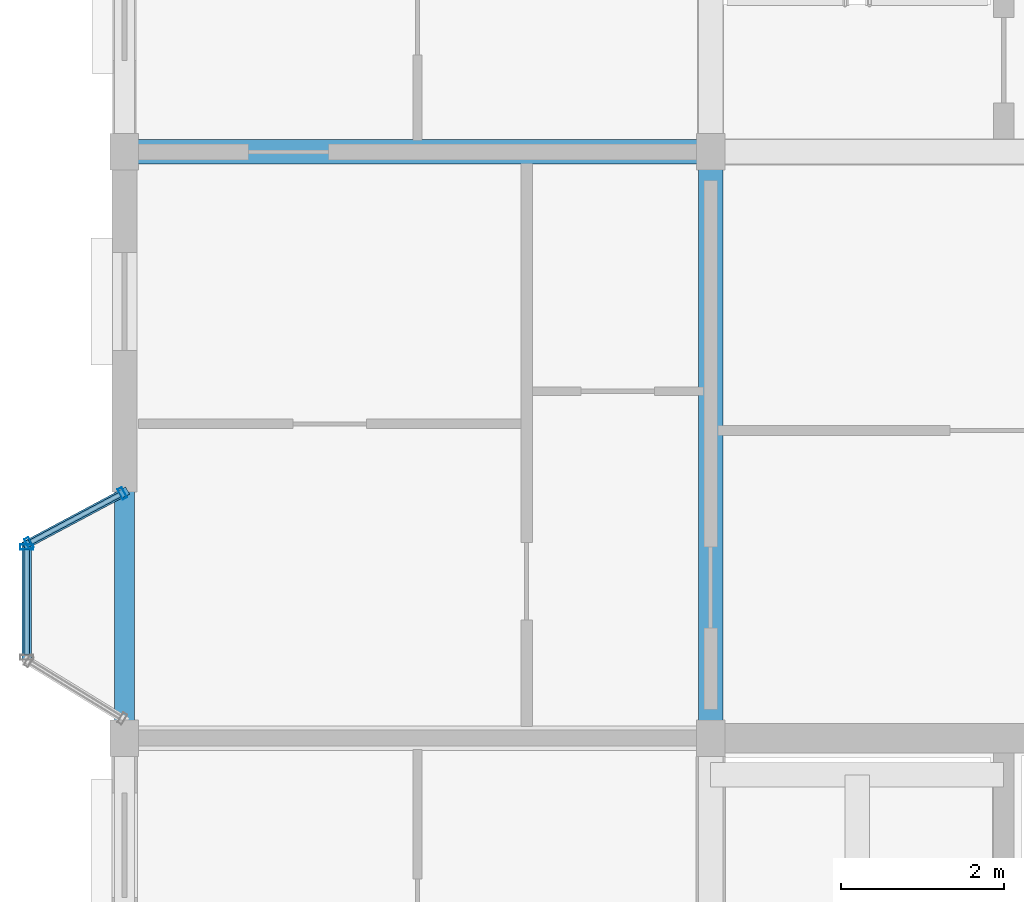
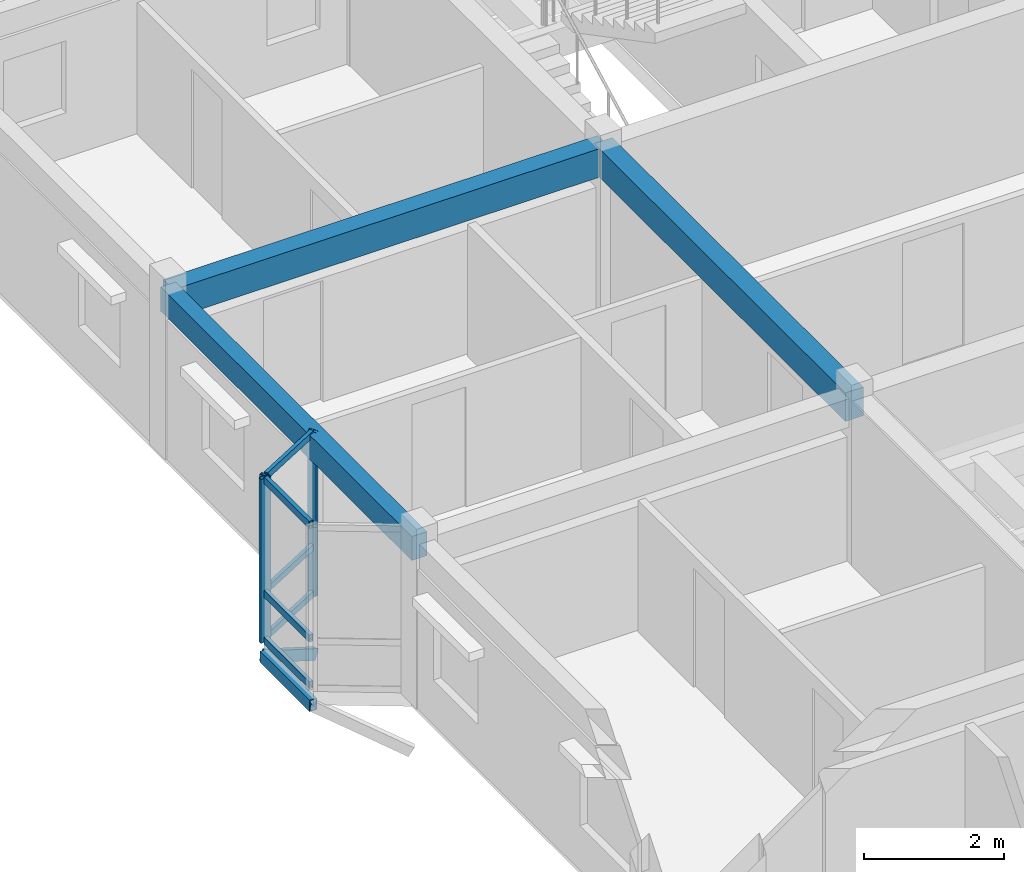
# One storey, part 7 of 22: 11 members, 3 beams, 2 elements without a shape of their own.
"""IFC4 building model written with IfcOpenShell, lengths in metres."""

from ifc_helpers import new_model, si_unit, direction, frame, origin, origin_2d, place, context, subcontext, project, spatial, rectangle, hollow_rectangle, extrude, material, layer, layer_set, material_profile, profile_set, type_object, element, aggregate, save


model = new_model("IFC4")

# Units and contexts
model_context = context("Model", 3, precision=1e-05, world=origin(), true_north=direction((0.0, 1.0)))
body_context = subcontext(model_context, "Body", "Model", "MODEL_VIEW")
ifc_project = project(units=[si_unit("LENGTHUNIT", "METRE"), si_unit("AREAUNIT", "SQUARE_METRE"), si_unit("VOLUMEUNIT", "CUBIC_METRE"), si_unit("PLANEANGLEUNIT", "RADIAN"), si_unit("MASSUNIT", "GRAM", prefix="KILO"), si_unit("THERMODYNAMICTEMPERATUREUNIT", "KELVIN"), si_unit("POWERUNIT", "WATT")], contexts=[model_context])

# Site, building, storey
site_placement = place(None, origin())
site = spatial("IfcSite", under=ifc_project, at=site_placement, CompositionType="ELEMENT")
building_placement = place(site_placement, origin())
building = spatial("IfcBuilding", under=site, at=building_placement, Name="Tavuni Mirador Residences", CompositionType="ELEMENT")
storey_placement = place(building_placement, frame((0.0, 0.0, 45.449951171875)))
storey = spatial("IfcBuildingStorey", under=building, at=storey_placement, Name="L14", CompositionType="ELEMENT", Elevation=45.449951171875)

# Beams
ifc_material_1 = material(Name="Precast concrete C40/50", Category="concrete")
ifc_material_profile_1 = material_profile(ifc_material_1, rectangle(XDim=0.300048828125, YDim=0.5, at=origin_2d()), Name="PC 300x500", Category="concrete")
ifc_profile_set_1 = profile_set([ifc_material_profile_1], Name="Precast concrete C40/50")
beam_type_1 = type_object("IfcBeamType", Name="BT-B500", PredefinedType="BEAM", material=ifc_profile_set_1)
for number, where, z_axis, x_axis, name in (
    (1, (3.60009765625, 28.800048828125, 2.6201171875), (1.0, 0.0, 0.0), (0.0, 1.0, 0.0), "BMX-BLK-A-L14-00-03"),
    (2, (10.800048828125, 21.60009765625, 2.6201171875), (0.0, 1.0, 0.0), (-1.0, 0.0, 0.0), "BMY-BLK-A-L14-01-02"),
):
    element("IfcBeam", number, at=place(storey_placement, frame(where, z_axis=z_axis, x_axis=x_axis)), inside=storey, type_object=beam_type_1, Name=name, PredefinedType="BEAM", context=body_context, shape_type="SweptSolid", body=[
        extrude(rectangle(XDim=0.300048828125, YDim=0.5, at=origin_2d()), origin(), (0.0, 0.0, 1.0), 7.199951171875),
    ])
ifc_material_profile_2 = material_profile(ifc_material_1, rectangle(XDim=0.25, YDim=0.419921875, at=origin_2d()), Name="PC 250x420", Category="concrete")
ifc_profile_set_2 = profile_set([ifc_material_profile_2], Name="Precast concrete C40/50")
beam_type_2 = type_object("IfcBeamType", Name="BT-SP420", PredefinedType="SPANDREL", material=ifc_profile_set_2)
beam_placement = place(storey_placement, frame((3.60009765625, 21.60009765625, 2.66015625), z_axis=(0.0, 1.0, 0.0), x_axis=(-1.0, 0.0, 0.0)))
element("IfcBeam", 3, at=beam_placement, inside=storey, type_object=beam_type_2, Name="BMY-BLK-A-L14-00-02", PredefinedType="SPANDREL", context=body_context, shape_type="SweptSolid", body=[
    extrude(rectangle(XDim=0.25, YDim=0.419921875, at=origin_2d()), origin(), (0.0, 0.0, 1.0), 7.199951171875),
])

# Curtain wall, members
ifc_material_2 = material(Name="Anodised aluminium", Category="aluminium")
ifc_layer_1 = layer(ifc_material_2, 0.175048828125, Name="Anodised aluminium", Category="aluminium")
ifc_layer_set_1 = layer_set([ifc_layer_1], Name="Anodised aluminium")
curtain_wall_type_1 = type_object("IfcCurtainWallType", Name="CWT-MIR-C", PredefinedType="NOTDEFINED", material=ifc_layer_set_1)
curtain_wall_1_placement = place(storey_placement, origin())
curtain_wall_1 = element("IfcCurtainWall", 4, at=curtain_wall_1_placement, inside=storey, type_object=curtain_wall_type_1, Name="CW-MIR-A-W2-L14-M1", PredefinedType="NOTDEFINED")
ifc_material_profile_3 = material_profile(ifc_material_2, hollow_rectangle(XDim=0.06005859375, YDim=0.139892578125, WallThickness=0.00390625, at=origin_2d()), Name="ALU 60x140x4.0", Category="aluminium")
ifc_profile_set_3 = profile_set([ifc_material_profile_3], Name="Anodised aluminium")
member_type_1 = type_object("IfcMemberType", Name="CWM-140", PredefinedType="MULLION", material=ifc_profile_set_3)
member_1_placement = place(storey_placement, frame((3.573486328125, 24.60595703125, 0.0), z_axis=(0.0, 0.0, 1.0), x_axis=(-0.882352941175, -0.470588235296, 0.0)))
member_1 = element("IfcMember", 5, at=member_1_placement, type_object=member_type_1, Name="CW-03 mullion 1", PredefinedType="MULLION", context=body_context, shape_type="SweptSolid", body=[
    extrude(hollow_rectangle(XDim=0.06005859375, YDim=0.139892578125, WallThickness=0.00390625, at=origin_2d()), origin(), (0.0, 0.0, 1.0), 2.8701171875),
])
member_2_placement = place(storey_placement, frame((2.426513671875, 23.994140625, 0.0), z_axis=(0.0, 0.0, 1.0), x_axis=(-0.882352941175, -0.470588235296, 0.0)))
member_2 = element("IfcMember", 6, at=member_2_placement, type_object=member_type_1, Name="CW-03 mullion 2", PredefinedType="MULLION", context=body_context, shape_type="SweptSolid", body=[
    extrude(hollow_rectangle(XDim=0.06005859375, YDim=0.139892578125, WallThickness=0.00390625, at=origin_2d()), origin(), (0.0, 0.0, 1.0), 2.8701171875),
])

# Curtain wall, member
ifc_layer_2 = layer(ifc_material_2, 0.159912109375, Name="Anodised aluminium", Category="aluminium")
ifc_layer_set_2 = layer_set([ifc_layer_2], Name="Anodised aluminium")
curtain_wall_type_2 = type_object("IfcCurtainWallType", Name="CWT-MIR-D", PredefinedType="NOTDEFINED", material=ifc_layer_set_2)
curtain_wall_2_placement = place(storey_placement, origin())
curtain_wall_2 = element("IfcCurtainWall", 7, at=curtain_wall_2_placement, inside=storey, type_object=curtain_wall_type_2, Name="CW-MIR-A-W2-L14-MF", PredefinedType="NOTDEFINED")
ifc_material_profile_4 = material_profile(ifc_material_2, hollow_rectangle(XDim=0.06494140625, YDim=0.1650390625, WallThickness=0.00439453125, at=origin_2d()), Name="ALU 65x165x4.5", Category="aluminium")
ifc_profile_set_4 = profile_set([ifc_material_profile_4], Name="Anodised aluminium")
member_type_2 = type_object("IfcMemberType", Name="CWM-165", PredefinedType="MULLION", material=ifc_profile_set_4)
member_3_placement = place(storey_placement, frame((2.39990234375, 23.947509765625, 0.0), z_axis=(0.0, 0.0, 1.0), x_axis=(0.0, -1.0, 0.0)))
member_3 = element("IfcMember", 8, at=member_3_placement, type_object=member_type_2, Name="CW-04 mullion 1", PredefinedType="MULLION", context=body_context, shape_type="SweptSolid", body=[
    extrude(hollow_rectangle(XDim=0.06494140625, YDim=0.1650390625, WallThickness=0.00439453125, at=origin_2d()), origin(), (0.0, 0.0, 1.0), 2.8701171875),
])

# Member
ifc_material_profile_5 = material_profile(ifc_material_2, hollow_rectangle(XDim=0.06005859375, YDim=0.110107421875, WallThickness=0.00390625, at=origin_2d()), Name="ALU 60x110x4.0", Category="aluminium")
ifc_profile_set_5 = profile_set([ifc_material_profile_5], Name="Anodised aluminium")
member_type_3 = type_object("IfcMemberType", Name="CWT-110", PredefinedType="USERDEFINED", material=ifc_profile_set_5)
member_4_placement = place(storey_placement, frame((3.547119140625, 24.591796875, 0.030029296875), z_axis=(-0.882385637708, -0.470526924168, 0.0), x_axis=(0.470526924168, -0.882385637708, 0.0)))
member_4 = element("IfcMember", 9, at=member_4_placement, type_object=member_type_3, Name="CW-03 transom 1.1", ObjectType="TRANSOM", PredefinedType="USERDEFINED", context=body_context, shape_type="SweptSolid", body=[
    extrude(hollow_rectangle(XDim=0.06005859375, YDim=0.110107421875, WallThickness=0.00390625, at=origin_2d()), origin(), (0.0, 0.0, 1.0), 1.239990234375),
])

member_5_placement = place(storey_placement, frame((3.547119140625, 24.591796875, 0.85009765625), z_axis=(-0.882385637708, -0.470526924168, 0.0), x_axis=(0.470526924168, -0.882385637708, 0.0)))
member_5 = element("IfcMember", 10, at=member_5_placement, type_object=member_type_3, Name="CW-03 transom 1.2", ObjectType="TRANSOM", PredefinedType="USERDEFINED", context=body_context, shape_type="SweptSolid", body=[
    extrude(hollow_rectangle(XDim=0.06005859375, YDim=0.110107421875, WallThickness=0.00390625, at=origin_2d()), origin(), (0.0, 0.0, 1.0), 1.239990234375),
])

member_6_placement = place(storey_placement, frame((3.547119140625, 24.591796875, 2.840087890625), z_axis=(-0.882385637708, -0.470526924168, 0.0), x_axis=(0.470526924168, -0.882385637708, 0.0)))
member_6 = element("IfcMember", 11, at=member_6_placement, type_object=member_type_3, Name="CW-03 transom 1.3", ObjectType="TRANSOM", PredefinedType="USERDEFINED", context=body_context, shape_type="SweptSolid", body=[
    extrude(hollow_rectangle(XDim=0.06005859375, YDim=0.110107421875, WallThickness=0.00390625, at=origin_2d()), origin(), (0.0, 0.0, 1.0), 1.239990234375),
])

aggregate(curtain_wall_1, [member_1, member_2, member_4, member_5, member_6])

ifc_material_profile_6 = material_profile(ifc_material_2, hollow_rectangle(XDim=0.06494140625, YDim=0.125, WallThickness=0.00439453125, at=origin_2d()), Name="ALU 65x125x4.5", Category="aluminium")
ifc_profile_set_6 = profile_set([ifc_material_profile_6], Name="Anodised aluminium")
member_type_4 = type_object("IfcMemberType", Name="CWT-125", PredefinedType="USERDEFINED", material=ifc_profile_set_6)
member_7_placement = place(storey_placement, frame((2.39990234375, 23.9150390625, 0.032470703125), z_axis=(0.0, -1.0, 0.0), x_axis=(1.0, 0.0, 0.0)))
member_7 = element("IfcMember", 12, at=member_7_placement, type_object=member_type_4, Name="CW-04 transom 1.1", ObjectType="TRANSOM", PredefinedType="USERDEFINED", context=body_context, shape_type="SweptSolid", body=[
    extrude(hollow_rectangle(XDim=0.06494140625, YDim=0.125, WallThickness=0.00439453125, at=origin_2d()), origin(), (0.0, 0.0, 1.0), 1.2900390625),
])

member_8_placement = place(storey_placement, frame((2.39990234375, 23.9150390625, 0.85009765625), z_axis=(0.0, -1.0, 0.0), x_axis=(1.0, 0.0, 0.0)))
member_8 = element("IfcMember", 13, at=member_8_placement, type_object=member_type_4, Name="CW-04 transom 1.2", ObjectType="TRANSOM", PredefinedType="USERDEFINED", context=body_context, shape_type="SweptSolid", body=[
    extrude(hollow_rectangle(XDim=0.06494140625, YDim=0.125, WallThickness=0.00439453125, at=origin_2d()), origin(), (0.0, 0.0, 1.0), 1.2900390625),
])

member_9_placement = place(storey_placement, frame((2.39990234375, 23.9150390625, 2.837646484375), z_axis=(0.0, -1.0, 0.0), x_axis=(1.0, 0.0, 0.0)))
member_9 = element("IfcMember", 14, at=member_9_placement, type_object=member_type_4, Name="CW-04 transom 1.3", ObjectType="TRANSOM", PredefinedType="USERDEFINED", context=body_context, shape_type="SweptSolid", body=[
    extrude(hollow_rectangle(XDim=0.06494140625, YDim=0.125, WallThickness=0.00439453125, at=origin_2d()), origin(), (0.0, 0.0, 1.0), 1.2900390625),
])

aggregate(curtain_wall_2, [member_3, member_7, member_8, member_9])

# Members
ifc_material_3 = material(Name="Structural steel S355", Category="steel")
ifc_material_profile_7 = material_profile(ifc_material_3, hollow_rectangle(XDim=0.10009765625, YDim=0.179931640625, WallThickness=0.008056640625, at=origin_2d()), Name="RHS 180x100x8.0", Category="steel")
ifc_profile_set_7 = profile_set([ifc_material_profile_7], Name="Structural steel S355")
member_type_5 = type_object("IfcMemberType", Name="MT-BR-RHS180", PredefinedType="BRACE", material=ifc_profile_set_7)
member_10_placement = place(storey_placement, frame((3.60009765625, 24.6201171875, -1.050048828125), z_axis=(-0.767847080655, -0.409539268811, 0.492634192918), x_axis=(0.470606866739, -0.882343004153, 0.0)))
element("IfcMember", 15, at=member_10_placement, inside=storey, type_object=member_type_5, Name="MBRK-MIR-A-W2-L14-2", PredefinedType="BRACE", context=body_context, shape_type="SweptSolid", body=[
    extrude(hollow_rectangle(XDim=0.10009765625, YDim=0.179931640625, WallThickness=0.008056640625, at=origin_2d()), origin(), (0.0, 0.0, 1.0), 1.56298828125),
])
ifc_material_profile_8 = material_profile(ifc_material_3, hollow_rectangle(XDim=0.1201171875, YDim=0.199951171875, WallThickness=0.010009765625, at=origin_2d()), Name="RHS 200x120x10.0", Category="steel")
ifc_profile_set_8 = profile_set([ifc_material_profile_8], Name="Structural steel S355")
member_type_6 = type_object("IfcMemberType", Name="MT-ST-RHS200", PredefinedType="STRUT", material=ifc_profile_set_8)
member_11_placement = place(storey_placement, frame((2.39990234375, 22.56005859375, -0.280029296875), z_axis=(0.0, 1.0, 0.0), x_axis=(-1.0, 0.0, 0.0)))
element("IfcMember", 16, at=member_11_placement, inside=storey, type_object=member_type_6, Name="MRIM-MIR-A-W2-L14", PredefinedType="STRUT", context=body_context, shape_type="SweptSolid", body=[
    extrude(hollow_rectangle(XDim=0.1201171875, YDim=0.199951171875, WallThickness=0.010009765625, at=origin_2d()), origin(), (0.0, 0.0, 1.0), 1.419921875),
])

save(model, "model.ifc")
